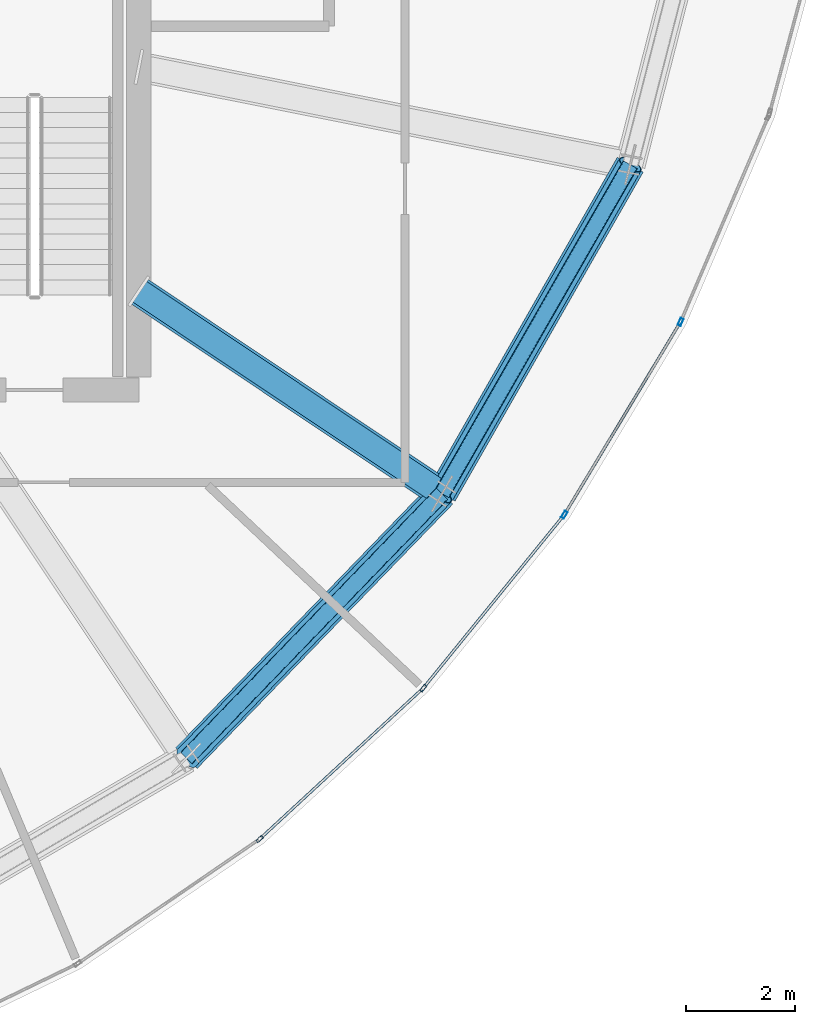
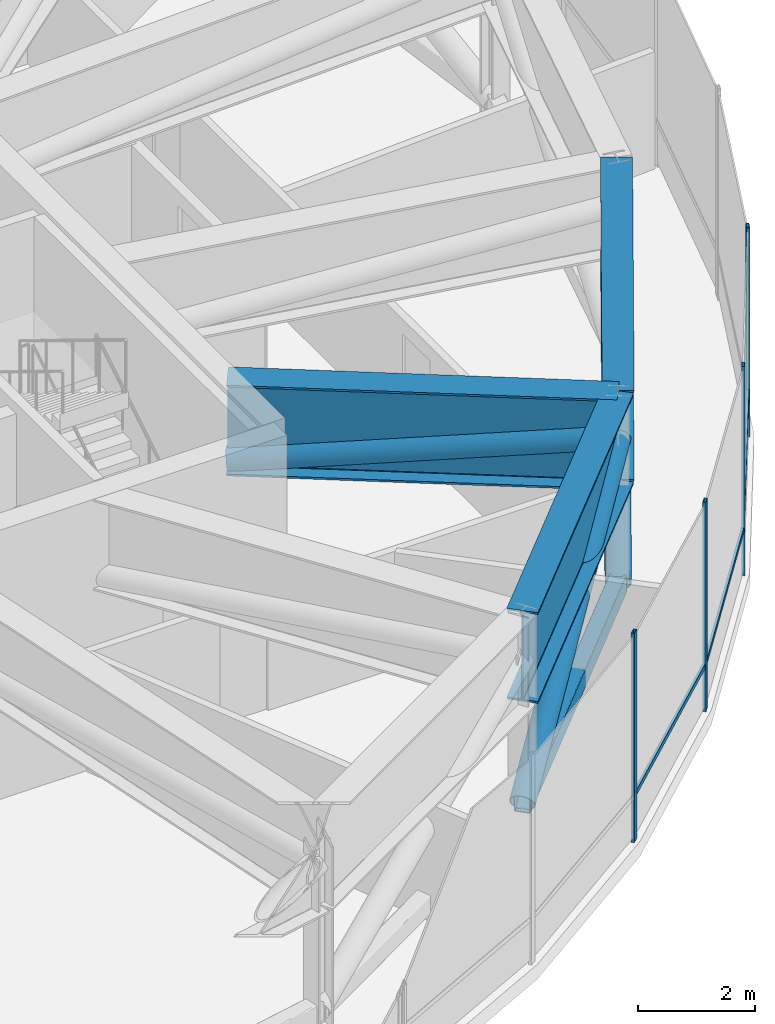
# One storey, part 10 of 26: 12 members, 3 beams, 1 element without a shape of its own.
"""IFC4 building model written with IfcOpenShell, lengths in metres."""

from ifc_helpers import new_model, si_unit, direction, frame, origin, origin_2d, place, context, subcontext, project, spatial, hollow_rectangle, hollow_circle, i_section, extrude, source, transform, mapped, material, layer, layer_set, material_profile, profile_set, type_object, element, aggregate, save


model = new_model("IFC4")

# Units and contexts
model_context = context("Model", 3, precision=1e-05, world=origin(), true_north=direction((0.0, 1.0)))
body_context = subcontext(model_context, "Body", "Model", "MODEL_VIEW")
ifc_project = project(units=[si_unit("LENGTHUNIT", "METRE"), si_unit("AREAUNIT", "SQUARE_METRE"), si_unit("VOLUMEUNIT", "CUBIC_METRE"), si_unit("PLANEANGLEUNIT", "RADIAN"), si_unit("MASSUNIT", "GRAM", prefix="KILO"), si_unit("THERMODYNAMICTEMPERATUREUNIT", "KELVIN")], contexts=[model_context])

# Site, building, storey
site_placement = place(None, origin())
site = spatial("IfcSite", under=ifc_project, at=site_placement, CompositionType="ELEMENT")
building_placement = place(site_placement, origin())
building = spatial("IfcBuilding", under=site, at=building_placement, Name="Kethvar Cultural Tower", CompositionType="ELEMENT")
storey_placement = place(building_placement, frame((0.0, 0.0, 223.60009765625)))
storey = spatial("IfcBuildingStorey", under=building, at=storey_placement, Name="L58", CompositionType="ELEMENT", Elevation=223.60009765625)

# Beam
ifc_material_1 = material(Name="Steel S460M", Category="steel")
ifc_material_profile_1 = material_profile(ifc_material_1, i_section(OverallWidth=0.550048828125, OverallDepth=1.89990234375, WebThickness=0.02490234375, FlangeThickness=0.0400390625, FilletRadius=0.02001953125, at=origin_2d()), Name="Steel S460M — PG1900x550x40x25")
ifc_profile_set_1 = profile_set([ifc_material_profile_1], Name="Steel S460M — PG1900x550x40x25")
beam_type = type_object("IfcBeamType", Name="BM-TR1900", PredefinedType="BEAM", material=ifc_profile_set_1)
shared_shape_1 = source(origin(), body_context, "Body", "SweptSolid", [
    extrude(i_section(OverallWidth=0.550048828125, OverallDepth=1.89990234375, WebThickness=0.02490234375, FlangeThickness=0.0400390625, FilletRadius=0.02001953125, at=origin_2d()), origin(), (0.0, 0.0, 1.0), 6.77294921875),
])
beam_1_placement = place(storey_placement, frame((56.474609375, 13.32080078125, 3.427978515625), z_axis=(0.695111533644, 0.718901909717, 0.0), x_axis=(-0.718901909717, 0.695111533644, 0.0)))
element("IfcBeam", 1, at=beam_1_placement, inside=storey, type_object=beam_type, Name="L58 Ring Belt Girder BG-14", PredefinedType="BEAM", context=body_context, shape_type="MappedRepresentation", body=[
    mapped(shared_shape_1, transform((0.0, 0.0, 0.0), scale=1.0)),
])

# Members
ifc_material_profile_2 = material_profile(ifc_material_1, hollow_rectangle(XDim=0.300048828125, YDim=0.39990234375, WallThickness=0.01611328125, InnerFilletRadius=0.01611328125, OuterFilletRadius=0.031982421875, at=origin_2d()), Name="Steel S460M — RHS400x300x16")
ifc_profile_set_2 = profile_set([ifc_material_profile_2], Name="Steel S460M — RHS400x300x16")
member_type_1 = type_object("IfcMemberType", Name="MB-CHD-400", PredefinedType="CHORD", material=ifc_profile_set_2)
shared_shape_2 = source(origin(), body_context, "Body", "SweptSolid", [
    extrude(hollow_rectangle(XDim=0.300048828125, YDim=0.39990234375, WallThickness=0.01611328125, InnerFilletRadius=0.01611328125, OuterFilletRadius=0.031982421875, at=origin_2d()), origin(), (0.0, 0.0, 1.0), 6.77294921875),
])
member_1_placement = place(storey_placement, frame((56.474609375, 13.32080078125, 0.349853515625), z_axis=(0.695111533644, 0.718901909717, 0.0), x_axis=(-0.718901909717, 0.695111533644, 0.0)))
element("IfcMember", 2, at=member_1_placement, inside=storey, type_object=member_type_1, Name="L58 Ring Belt Bottom Chord BC-14", PredefinedType="CHORD", context=body_context, shape_type="MappedRepresentation", body=[
    mapped(shared_shape_2, transform((0.0, 0.0, 0.0), scale=1.0)),
])
ifc_material_2 = material(Name="Steel S355J2", Category="steel")
ifc_material_profile_3 = material_profile(ifc_material_2, hollow_circle(Radius=0.228515625, WallThickness=0.01611328125, at=origin_2d()), Name="Steel S355J2 — CHS457x16")
ifc_profile_set_3 = profile_set([ifc_material_profile_3], Name="Steel S355J2 — CHS457x16")
member_type_2 = type_object("IfcMemberType", Name="MB-OUT-457", PredefinedType="BRACE", material=ifc_profile_set_3)
shared_shape_3 = source(origin(), body_context, "Body", "SweptSolid", [
    extrude(hollow_circle(Radius=0.228515625, WallThickness=0.01611328125, at=origin_2d()), origin(), (0.0, 0.0, 1.0), 7.439697265625),
])
member_2_placement = place(storey_placement, frame((56.474609375, 13.32080078125, 0.349853515625), z_axis=(0.63282463607, 0.654483226602, 0.413744711241), x_axis=(-0.718901909717, 0.695111533644, 0.0)))
element("IfcMember", 3, at=member_2_placement, inside=storey, type_object=member_type_2, Name="L58 Ring Belt Diagonal BD-14", PredefinedType="BRACE", context=body_context, shape_type="MappedRepresentation", body=[
    mapped(shared_shape_3, transform((0.0, 0.0, 0.0), scale=1.0)),
])

# Beam
shared_shape_4 = source(origin(), body_context, "Body", "SweptSolid", [
    extrude(i_section(OverallWidth=0.550048828125, OverallDepth=1.89990234375, WebThickness=0.02490234375, FlangeThickness=0.0400390625, FilletRadius=0.02001953125, at=origin_2d()), origin(), (0.0, 0.0, 1.0), 6.7138671875),
])
beam_2_placement = place(storey_placement, frame((55.60009765625, 21.919921875, 3.427978515625), z_axis=(0.831479232731, -0.555555834762, 0.0), x_axis=(0.555555834762, 0.831479232731, 0.0)))
element("IfcBeam", 4, at=beam_2_placement, inside=storey, type_object=beam_type, Name="L58 Outrigger Transfer Girder OG-15", PredefinedType="BEAM", context=body_context, shape_type="MappedRepresentation", body=[
    mapped(shared_shape_4, transform((0.0, 0.0, 0.0), scale=1.0)),
])

# Member
shared_shape_5 = source(origin(), body_context, "Body", "SweptSolid", [
    extrude(hollow_circle(Radius=0.228515625, WallThickness=0.01611328125, at=origin_2d()), origin(), (0.0, 0.0, 1.0), 6.7587890625),
])
member_3_placement = place(storey_placement, frame((55.60009765625, 21.919921875, 2.64990234375), z_axis=(0.825951333527, -0.551862349061, 0.115118818331), x_axis=(0.555555834762, 0.831479232731, 0.0)))
element("IfcMember", 5, at=member_3_placement, inside=storey, type_object=member_type_2, Name="L58 Outrigger Truss Diagonal OB-15", PredefinedType="BRACE", context=body_context, shape_type="MappedRepresentation", body=[
    mapped(shared_shape_5, transform((0.0, 0.0, 0.0), scale=1.0)),
])

# Beam
shared_shape_6 = source(origin(), body_context, "Body", "SweptSolid", [
    extrude(i_section(OverallWidth=0.550048828125, OverallDepth=1.89990234375, WebThickness=0.02490234375, FlangeThickness=0.0400390625, FilletRadius=0.02001953125, at=origin_2d()), origin(), (0.0, 0.0, 1.0), 6.98095703125),
])
beam_3_placement = place(storey_placement, frame((61.1826171875, 18.18994140625, 3.427978515625), z_axis=(0.496496686118, 0.868038617041, 0.0), x_axis=(-0.868038617041, 0.496496686118, 0.0)))
element("IfcBeam", 6, at=beam_3_placement, inside=storey, type_object=beam_type, Name="L58 Ring Belt Girder BG-15", PredefinedType="BEAM", context=body_context, shape_type="MappedRepresentation", body=[
    mapped(shared_shape_6, transform((0.0, 0.0, 0.0), scale=1.0)),
])

# Members
shared_shape_7 = source(origin(), body_context, "Body", "SweptSolid", [
    extrude(hollow_rectangle(XDim=0.300048828125, YDim=0.39990234375, WallThickness=0.01611328125, InnerFilletRadius=0.01611328125, OuterFilletRadius=0.031982421875, at=origin_2d()), origin(), (0.0, 0.0, 1.0), 6.98095703125),
])
member_4_placement = place(storey_placement, frame((61.1826171875, 18.18994140625, 0.349853515625), z_axis=(0.496496686118, 0.868038617041, 0.0), x_axis=(-0.868038617041, 0.496496686118, 0.0)))
element("IfcMember", 7, at=member_4_placement, inside=storey, type_object=member_type_1, Name="L58 Ring Belt Bottom Chord BC-15", PredefinedType="CHORD", context=body_context, shape_type="MappedRepresentation", body=[
    mapped(shared_shape_7, transform((0.0, 0.0, 0.0), scale=1.0)),
])
shared_shape_8 = source(origin(), body_context, "Body", "SweptSolid", [
    extrude(hollow_circle(Radius=0.228515625, WallThickness=0.01611328125, at=origin_2d()), origin(), (0.0, 0.0, 1.0), 7.629638671875),
])
member_5_placement = place(storey_placement, frame((61.1826171875, 18.18994140625, 0.349853515625), z_axis=(0.454295623244, 0.79425735469, 0.403448560813), x_axis=(-0.868038617041, 0.496496686118, 0.0)))
element("IfcMember", 8, at=member_5_placement, inside=storey, type_object=member_type_2, Name="L58 Ring Belt Diagonal BD-15", PredefinedType="BRACE", context=body_context, shape_type="MappedRepresentation", body=[
    mapped(shared_shape_8, transform((0.0, 0.0, 0.0), scale=1.0)),
])

# Curtain wall, members
ifc_material_3 = material(Name="Aluminium 6063-T6", Category="aluminium")
ifc_layer = layer(ifc_material_3, 0.179931640625, Name="Aluminium 6063-T6", Category="aluminium")
ifc_layer_set = layer_set([ifc_layer], Name="Aluminium 6063-T6 (180 mm)")
curtain_wall_type = type_object("IfcCurtainWallType", Name="CW-SYS-04-Z34", PredefinedType="NOTDEFINED", material=ifc_layer_set)
curtain_wall_placement = place(storey_placement, origin())
curtain_wall = element("IfcCurtainWall", 9, at=curtain_wall_placement, inside=storey, type_object=curtain_wall_type, Name="L58 Curtain Wall Run 05", PredefinedType="NOTDEFINED")
ifc_material_profile_4 = material_profile(ifc_material_3, hollow_rectangle(XDim=0.050048828125, YDim=0.10009765625, WallThickness=0.00390625, at=origin_2d()), Name="Aluminium 6063-T6 — RHS100x50x4")
ifc_profile_set_4 = profile_set([ifc_material_profile_4], Name="Aluminium 6063-T6 — RHS100x50x4")
member_type_3 = type_object("IfcMemberType", Name="CW-SYS-04-Z34-TRN", PredefinedType="USERDEFINED", material=ifc_profile_set_4)
shared_shape_9 = source(origin(), body_context, "Body", "SweptSolid", [
    extrude(hollow_rectangle(XDim=0.050048828125, YDim=0.10009765625, WallThickness=0.00390625, at=origin_2d()), origin(), (0.0, 0.0, 1.0), 4.027099609375),
])
member_6_placement = place(storey_placement, frame((57.854736328125, 11.860107421875, 0.949951171875), z_axis=(0.734938235003, 0.678134050709, 0.0), x_axis=(-0.678134050709, 0.734938235003, 0.0)))
member_6 = element("IfcMember", 10, at=member_6_placement, type_object=member_type_3, Name="CW-L58-R05 Transom 3", ObjectType="TRANSOM", PredefinedType="USERDEFINED", context=body_context, shape_type="MappedRepresentation", body=[
    mapped(shared_shape_9, transform((0.0, 0.0, 0.0), scale=1.0)),
])
ifc_material_profile_5 = material_profile(ifc_material_3, hollow_rectangle(XDim=0.06005859375, YDim=0.139892578125, WallThickness=0.0048828125, at=origin_2d()), Name="Aluminium 6063-T6 — RHS140x60x5")
ifc_profile_set_5 = profile_set([ifc_material_profile_5], Name="Aluminium 6063-T6 — RHS140x60x5")
member_type_4 = type_object("IfcMemberType", Name="CW-SYS-04-Z34-MUL", PredefinedType="MULLION", material=ifc_profile_set_5)
shared_shape_10 = source(origin(), body_context, "Body", "SweptSolid", [
    extrude(hollow_rectangle(XDim=0.06005859375, YDim=0.139892578125, WallThickness=0.0048828125, at=origin_2d()), origin(), (0.0, 0.0, 1.0), 4.3798828125),
])
member_7_placement = place(storey_placement, frame((57.822998046875, 11.830810546875, 0.0), z_axis=(0.0, 0.0, 1.0), x_axis=(-0.678134016096, 0.73493826694, 0.0)))
member_7 = element("IfcMember", 11, at=member_7_placement, type_object=member_type_4, Name="CW-L58-R05 Mullion 3", PredefinedType="MULLION", context=body_context, shape_type="MappedRepresentation", body=[
    mapped(shared_shape_10, transform((0.0, 0.0, 0.0), scale=1.0)),
])
member_8_placement = place(storey_placement, frame((60.83544921875, 14.60888671875, 0.0), z_axis=(0.0, 0.0, 1.0), x_axis=(-0.775859247631, 0.630906037271, 0.0)))
member_8 = element("IfcMember", 12, at=member_8_placement, type_object=member_type_4, Name="CW-L58-R05 Mullion 4", PredefinedType="MULLION", context=body_context, shape_type="MappedRepresentation", body=[
    mapped(shared_shape_10, transform((0.0, 0.0, 0.0), scale=1.0)),
])
member_9_placement = place(storey_placement, frame((63.434814453125, 17.8037109375, 0.0), z_axis=(0.0, 0.0, 1.0), x_axis=(-0.856483374449, 0.516174611244, 0.0)))
member_9 = element("IfcMember", 13, at=member_9_placement, type_object=member_type_4, Name="CW-L58-R05 Mullion 5", PredefinedType="MULLION", context=body_context, shape_type="MappedRepresentation", body=[
    mapped(shared_shape_10, transform((0.0, 0.0, 0.0), scale=1.0)),
])
member_10_placement = place(storey_placement, frame((65.575439453125, 21.353759765625, 0.0), z_axis=(0.0, 0.0, 1.0), x_axis=(-0.919602231491, 0.392850780623, 0.0)))
member_10 = element("IfcMember", 14, at=member_10_placement, type_object=member_type_4, Name="CW-L58-R05 Mullion 6", PredefinedType="MULLION", context=body_context, shape_type="MappedRepresentation", body=[
    mapped(shared_shape_10, transform((0.0, 0.0, 0.0), scale=1.0)),
])
shared_shape_11 = source(origin(), body_context, "Body", "SweptSolid", [
    extrude(hollow_rectangle(XDim=0.050048828125, YDim=0.10009765625, WallThickness=0.00390625, at=origin_2d()), origin(), (0.0, 0.0, 1.0), 4.04736328125),
])
member_11_placement = place(storey_placement, frame((60.86279296875, 14.642578125, 0.949951171875), z_axis=(0.630905963306, 0.775859307777, 0.0), x_axis=(-0.775859307777, 0.630905963306, 0.0)))
member_11 = element("IfcMember", 15, at=member_11_placement, type_object=member_type_3, Name="CW-L58-R05 Transom 4", ObjectType="TRANSOM", PredefinedType="USERDEFINED", context=body_context, shape_type="MappedRepresentation", body=[
    mapped(shared_shape_11, transform((0.0, 0.0, 0.0), scale=1.0)),
])
shared_shape_12 = source(origin(), body_context, "Body", "SweptSolid", [
    extrude(hollow_rectangle(XDim=0.050048828125, YDim=0.10009765625, WallThickness=0.00390625, at=origin_2d()), origin(), (0.0, 0.0, 1.0), 4.07421875),
])
member_12_placement = place(storey_placement, frame((63.45703125, 17.8408203125, 0.949951171875), z_axis=(0.516177899464, 0.856481392737, 0.0), x_axis=(-0.856481392737, 0.516177899464, 0.0)))
member_12 = element("IfcMember", 16, at=member_12_placement, type_object=member_type_3, Name="CW-L58-R05 Transom 5", ObjectType="TRANSOM", PredefinedType="USERDEFINED", context=body_context, shape_type="MappedRepresentation", body=[
    mapped(shared_shape_12, transform((0.0, 0.0, 0.0), scale=1.0)),
])
aggregate(curtain_wall, [member_7, member_8, member_9, member_10, member_6, member_11, member_12])

save(model, "model.ifc")
